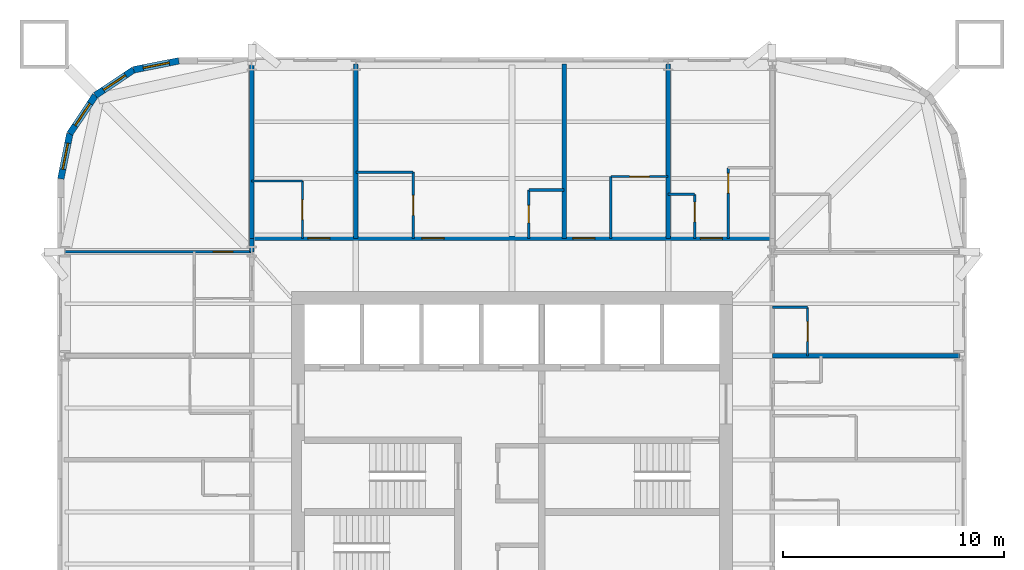
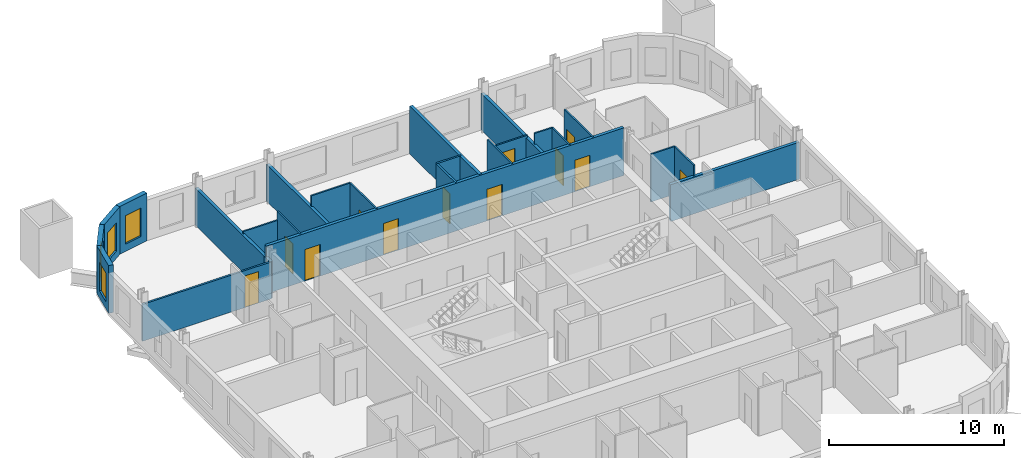
# One storey, part 7 of 9: 25 walls, 12 doors, 4 windows, 16 openings.
"""IFC4 building model written with IfcOpenShell, lengths in metres."""

import ifcopenshell
import ifcopenshell.guid

model = None  # the IFC model being written
_history = None  # IfcOwnerHistory: only IFC2X3 demands one
_inside = {}  # id of a spatial element -> (the spatial element, [elements in it])
_under = {}  # id of a project, library or spatial element -> (it, [spatial elements below it])
_declared = {}  # id of a project -> (the project, [libraries it declares])
_typed = {}  # id of a type object -> (the type object, [elements of that type])
_made_of = {}  # id of a material, layer set ... -> (it, [elements and type objects made of it])


def new_model(schema):
    """Start an empty IFC model of exactly this schema.

    Asked for "IFC4X3", IfcOpenShell would pick the latest addendum, in which some entities
    have other attributes; the version numbers below select the first issue.
    IFC2X3 requires an IfcOwnerHistory on every rooted entity: one is made here for all.
    """
    global model, _history
    if schema == "IFC4X3":
        model = ifcopenshell.file(schema_version=(4, 3, 0, 0))
    else:
        model = ifcopenshell.file(schema=schema)
    _inside.clear()
    _under.clear()
    _declared.clear()
    _typed.clear()
    _made_of.clear()
    _history = None
    if model.schema == "IFC2X3":
        org = make("IfcOrganization", Name="unknown")
        user = make(
            "IfcPersonAndOrganization",
            ThePerson=make("IfcPerson", FamilyName="unknown"),
            TheOrganization=org,
        )
        app = make(
            "IfcApplication",
            ApplicationDeveloper=org,
            Version="unknown",
            ApplicationFullName="unknown",
            ApplicationIdentifier="unknown",
        )
        _history = make(
            "IfcOwnerHistory",
            OwningUser=user,
            OwningApplication=app,
            ChangeAction="ADDED",
            CreationDate=0,
        )
    return model


def make(cls, **values):
    """One entity of the class cls with the attributes given. An attribute that is None is left unset."""
    return model.create_entity(
        cls, **{name: value for name, value in values.items() if value is not None}
    )


def rooted(cls, **values):
    """An entity with a GlobalId (a new one), such as an element, a storey or a relation."""
    return make(cls, GlobalId=ifcopenshell.guid.new(), OwnerHistory=_history, **values)


def si_unit(unit_type, name, prefix=None):
    """IfcSIUnit, for example si_unit("LENGTHUNIT", "METRE", prefix="MILLI")."""
    return make("IfcSIUnit", UnitType=unit_type, Prefix=prefix, Name=name)


def assignment(units):
    """IfcUnitAssignment: the units of a project."""
    return None if units is None else make("IfcUnitAssignment", Units=units)


def point(xyz):
    """IfcCartesianPoint."""
    return None if xyz is None else make("IfcCartesianPoint", Coordinates=xyz)


def direction(xyz):
    """IfcDirection."""
    return None if xyz is None else make("IfcDirection", DirectionRatios=xyz)


def frame(location, z_axis=None, x_axis=None):
    """IfcAxis2Placement3D, a coordinate frame: its origin and axes. An axis left out is left unset."""
    return make(
        "IfcAxis2Placement3D",
        Location=point(location),
        Axis=direction(z_axis),
        RefDirection=direction(x_axis),
    )


def frame_2d(location, x_axis=None):
    """IfcAxis2Placement2D, a coordinate frame in the plane: its origin and x axis."""
    return make(
        "IfcAxis2Placement2D", Location=point(location), RefDirection=direction(x_axis)
    )


def origin():
    """The frame at (0, 0, 0) with its axes left unset."""
    return frame((0.0, 0.0, 0.0))


def place(relative_to, where):
    """IfcLocalPlacement: puts the frame where relative to a parent placement (None: the world)."""
    return make(
        "IfcLocalPlacement", PlacementRelTo=relative_to, RelativePlacement=where
    )


def context(
    kind, dimensions, precision=None, world=None, true_north=None, identifier=None
):
    """IfcGeometricRepresentationContext, for example the 3D "Model" context."""
    return make(
        "IfcGeometricRepresentationContext",
        ContextIdentifier=identifier,
        ContextType=kind,
        CoordinateSpaceDimension=dimensions,
        Precision=precision,
        WorldCoordinateSystem=world,
        TrueNorth=true_north,
    )


def subcontext(parent, identifier, kind, view, scale=None):
    """IfcGeometricRepresentationSubContext, for example "Body" below "Model"."""
    return make(
        "IfcGeometricRepresentationSubContext",
        ContextIdentifier=identifier,
        ContextType=kind,
        ParentContext=parent,
        TargetScale=scale,
        TargetView=view,
    )


def project(units=None, contexts=None):
    """IfcProject with its units and contexts."""
    return rooted(
        "IfcProject",
        Name="project",
        RepresentationContexts=contexts,
        UnitsInContext=assignment(units),
    )


def spatial(cls, under=None, at=None, **own):
    """A site, building, storey or space (cls), placed at a placement, below another one or the project."""
    s = rooted(cls, ObjectPlacement=at, **own)
    if under is not None:
        _under.setdefault(under.id(), (under, []))[1].append(s)
    return s


def profile(cls, at=None, kind="AREA", **sizes):
    """A parametric profile (cls). Its sizes go by their IFC names, for example OverallWidth=200.0."""
    return make(cls, ProfileType=kind, Position=at, **sizes)


def rectangle(**sizes):
    """IfcRectangleProfileDef."""
    return profile("IfcRectangleProfileDef", **sizes)


def extrude(swept, where, along, depth):
    """IfcExtrudedAreaSolid: the profile swept, set in the frame where, extruded along a direction by depth."""
    return make(
        "IfcExtrudedAreaSolid",
        SweptArea=swept,
        Position=where,
        ExtrudedDirection=direction(along),
        Depth=depth,
    )


def shape(context_of_items, identifier, shape_type, items):
    """IfcShapeRepresentation: the items that make up one representation, for example the "Body"."""
    return make(
        "IfcShapeRepresentation",
        ContextOfItems=context_of_items,
        RepresentationIdentifier=identifier,
        RepresentationType=shape_type,
        Items=items,
    )


def material(Name=None, Category=None):
    """IfcMaterial."""
    return make("IfcMaterial", Name=Name, Category=Category)


def layer(
    of_material, thickness, ventilated=None, Name=None, Category=None, Priority=None
):
    """IfcMaterialLayer: one layer of a wall or slab, of a material (None: an air gap)."""
    return make(
        "IfcMaterialLayer",
        Material=of_material,
        LayerThickness=thickness,
        IsVentilated=ventilated,
        Name=Name,
        Category=Category,
        Priority=Priority,
    )


def layer_set(layers, Name=None):
    """IfcMaterialLayerSet."""
    return make("IfcMaterialLayerSet", MaterialLayers=layers, LayerSetName=Name)


def made_of(thing, what):
    """Note that an element or type object is made of a material, layer set ...; save() writes the relation."""
    if what is not None:
        _made_of.setdefault(what.id(), (what, []))[1].append(thing)
    return thing


def type_object(cls, material=None, **own):
    """A type object (cls), such as IfcWallType, which elements share."""
    return made_of(rooted(cls, **own), material)


def element(
    cls,
    number,
    at=None,
    inside=None,
    cuts=None,
    type_object=None,
    material=None,
    context=None,
    identifier="Body",
    shape_type=None,
    held_by="IfcProductDefinitionShape",
    body=None,
    shapes=None,
    **own,
):
    """One element of the class cls, such as IfcWall. Its Tag is "e" and its number.

    at: its placement. inside: the storey or other place that contains it. cuts: it is an
    opening in that element (IfcRelVoidsElement). A single representation is given by context,
    identifier, shape_type and body (its items); several are given by shapes. held_by: the class
    of the entity that holds the representations. save() writes the other relations.
    """
    e = rooted(cls, Tag="e%d" % number, ObjectPlacement=at, **own)
    if body is not None:
        shapes = [shape(context, identifier, shape_type, body)]
    if shapes is not None:
        e.Representation = make(held_by, Representations=shapes)
    if inside is not None:
        _inside.setdefault(inside.id(), (inside, []))[1].append(e)
    if cuts is not None:
        rooted(
            "IfcRelVoidsElement", RelatingBuildingElement=cuts, RelatedOpeningElement=e
        )
    if type_object is not None:
        _typed.setdefault(type_object.id(), (type_object, []))[1].append(e)
    return made_of(e, material)


def fill(opening, filler):
    """IfcRelFillsElement: the door or window that sits in an opening."""
    return rooted(
        "IfcRelFillsElement",
        RelatingOpeningElement=opening,
        RelatedBuildingElement=filler,
    )


def aggregate(whole, parts):
    """IfcRelAggregates: a whole, such as a stair, and the parts it consists of."""
    return rooted("IfcRelAggregates", RelatingObject=whole, RelatedObjects=parts)


def save(model, path):
    """Write the relations noted so far, then the file.

    IfcRelAggregates (storeys below a building ...), IfcRelContainedInSpatialStructure (elements
    in a storey), IfcRelDefinesByType, IfcRelAssociatesMaterial and IfcRelDeclares: one each for
    every whole, place, type object, material and project.
    """
    for whole, parts in _under.values():
        aggregate(whole, parts)
    for where, things in _inside.values():
        rooted(
            "IfcRelContainedInSpatialStructure",
            RelatedElements=things,
            RelatingStructure=where,
        )
    for kind, things in _typed.values():
        rooted("IfcRelDefinesByType", RelatedObjects=things, RelatingType=kind)
    for what, things in _made_of.values():
        rooted("IfcRelAssociatesMaterial", RelatedObjects=things, RelatingMaterial=what)
    for by, libraries in _declared.values():
        rooted("IfcRelDeclares", RelatingContext=by, RelatedDefinitions=libraries)
    model.write(path)


model = new_model("IFC4")

# Units and contexts
model_context = context("Model", 3, precision=1e-05, world=origin(), true_north=direction((0.0, 1.0)))
body_context = subcontext(model_context, "Body", "Model", "MODEL_VIEW")
ifc_project = project(units=[si_unit("LENGTHUNIT", "METRE"), si_unit("AREAUNIT", "SQUARE_METRE"), si_unit("VOLUMEUNIT", "CUBIC_METRE"), si_unit("PLANEANGLEUNIT", "RADIAN"), si_unit("MASSUNIT", "GRAM", prefix="KILO")], contexts=[model_context])

# Site, building, storey
site_placement = place(None, origin())
site = spatial("IfcSite", under=ifc_project, at=site_placement, CompositionType="ELEMENT")
building_placement = place(site_placement, origin())
building = spatial("IfcBuilding", under=site, at=building_placement, Name="Turquesa Mirador Hotel Tower", CompositionType="ELEMENT")
storey_placement = place(building_placement, frame((0.0, 0.0, 107.39990234375)))
storey = spatial("IfcBuildingStorey", under=building, at=storey_placement, Name="L28", CompositionType="ELEMENT", Elevation=107.39990234375)

# Walls
ifc_material_1 = material(Name="Gypsum board on steel studs", Category="steel")
ifc_layer_1 = layer(ifc_material_1, 0.10009765625)
ifc_layer_set_1 = layer_set([ifc_layer_1], Name="BATHROOM WALL 100")
wall_type_1 = type_object("IfcWallType", Name="BATHROOM WALL 100", PredefinedType="PARTITIONING", material=ifc_layer_set_1)
wall_1_placement = place(storey_placement, frame((62.080078125, 59.39990234375, 0.0), z_axis=(0.0, 0.0, 1.0), x_axis=(1.0, 0.0, 0.0)))
element("IfcWall", 1, at=wall_1_placement, inside=storey, type_object=wall_type_1, Name="Partition L28 025", PredefinedType="PARTITIONING", context=body_context, shape_type="SweptSolid", body=[
    extrude(rectangle(XDim=1.199951171875, YDim=0.10009765625, at=frame_2d((0.60009765625, 0.0))), origin(), (0.0, 0.0, 1.0), 3.330078125),
])
wall_2_placement = place(storey_placement, frame((43.199951171875, 60.0, 0.0), z_axis=(0.0, 0.0, 1.0), x_axis=(1.0, 0.0, 0.0)))
element("IfcWall", 2, at=wall_2_placement, inside=storey, type_object=wall_type_1, Name="Partition L28 028", PredefinedType="PARTITIONING", context=body_context, shape_type="SweptSolid", body=[
    extrude(rectangle(XDim=2.300048828125, YDim=0.10009765625, at=frame_2d((1.14990234375, 0.0))), origin(), (0.0, 0.0, 1.0), 2.730712890625),
])

# Wall, opening, door
wall_3_placement = place(storey_placement, frame((59.47998046875, 60.199951171875, 0.0), z_axis=(0.0, 0.0, 1.0), x_axis=(1.0, 0.0, 0.0)))
wall_3 = element("IfcWall", 3, at=wall_3_placement, inside=storey, type_object=wall_type_1, Name="Partition L28 029", PredefinedType="PARTITIONING", context=body_context, shape_type="SweptSolid", body=[
    extrude(rectangle(XDim=2.60009765625, YDim=0.10009765625, at=frame_2d((1.300048828125, 0.0))), origin(), (0.0, 0.0, 1.0), 2.730712890625),
])
opening_1_placement = place(wall_3_placement, frame((0.85009765625, 0.0, 0.0)))
opening_1 = element("IfcOpeningElement", 4, at=opening_1_placement, cuts=wall_3, Name="Opening D02", PredefinedType="OPENING", context=body_context, shape_type="SweptSolid", body=[
    extrude(rectangle(XDim=0.89990234375, YDim=2.10009765625, at=frame_2d((0.449951171875, 1.050048828125))), frame((0.0, 0.06005859375, 0.0), z_axis=(0.0, -1.0, 0.0), x_axis=(1.0, 0.0, 0.0)), (0.0, 0.0, 1.0), 0.1201171875),
])
ifc_material_2 = material(Name="Timber veneered door", Category="wood")
door_type_1 = type_object("IfcDoorType", Name="DOOR 900X2100 EN-SUITE", OperationType="SINGLE_SWING_RIGHT", PredefinedType="DOOR", material=ifc_material_2)
door_1_placement = place(opening_1_placement, origin())
door_1 = element("IfcDoor", 5, at=door_1_placement, inside=storey, type_object=door_type_1, Name="Door 2803B", OperationType="SINGLE_SWING_RIGHT", OverallHeight=2.10009765625, OverallWidth=0.89990234375, PredefinedType="DOOR", context=body_context, shape_type="SweptSolid", body=[
    extrude(rectangle(XDim=0.89990234375, YDim=2.10009765625, at=frame_2d((0.449951171875, 1.050048828125))), frame((0.0, 0.02490234375, 0.0), z_axis=(0.0, -1.0, 0.0), x_axis=(1.0, 0.0, 0.0)), (0.0, 0.0, 1.0), 0.050048828125),
])
fill(opening_1, door_1)

# Walls
wall_4_placement = place(storey_placement, frame((47.919921875, 60.39990234375, 0.0), z_axis=(0.0, 0.0, 1.0), x_axis=(1.0, 0.0, 0.0)))
element("IfcWall", 6, at=wall_4_placement, inside=storey, type_object=wall_type_1, Name="Partition L28 030", PredefinedType="PARTITIONING", context=body_context, shape_type="SweptSolid", body=[
    extrude(rectangle(XDim=2.60009765625, YDim=0.10009765625, at=frame_2d((1.300048828125, 0.0))), origin(), (0.0, 0.0, 1.0), 3.330078125),
])
wall_5_placement = place(storey_placement, frame((66.800048828125, 54.280029296875, 0.0), z_axis=(0.0, 0.0, 1.0), x_axis=(1.0, 0.0, 0.0)))
element("IfcWall", 7, at=wall_5_placement, inside=storey, type_object=wall_type_1, Name="Partition L28 040", PredefinedType="PARTITIONING", context=body_context, shape_type="SweptSolid", body=[
    extrude(rectangle(XDim=1.599853515625, YDim=0.10009765625, at=frame_2d((0.7998046875, 0.0))), origin(), (0.0, 0.0, 1.0), 3.330078125),
])

# Wall, opening, door
wall_6_placement = place(storey_placement, frame((50.52001953125, 57.39990234375, 0.0), z_axis=(0.0, 0.0, 1.0), x_axis=(0.0, 1.0, 0.0)))
wall_6 = element("IfcWall", 8, at=wall_6_placement, inside=storey, type_object=wall_type_1, Name="Partition L28 054", PredefinedType="PARTITIONING", context=body_context, shape_type="SweptSolid", body=[
    extrude(rectangle(XDim=3.0, YDim=0.10009765625, at=frame_2d((1.5, 0.0))), origin(), (0.0, 0.0, 1.0), 3.330078125),
])
opening_2_placement = place(wall_6_placement, frame((1.050048828125, 0.0, 0.0)))
opening_2 = element("IfcOpeningElement", 9, at=opening_2_placement, cuts=wall_6, Name="Opening D02", PredefinedType="OPENING", context=body_context, shape_type="SweptSolid", body=[
    extrude(rectangle(XDim=0.89990234375, YDim=2.10009765625, at=frame_2d((0.449951171875, 1.050048828125))), frame((0.0, 0.06005859375, 0.0), z_axis=(0.0, -1.0, 0.0), x_axis=(1.0, 0.0, 0.0)), (0.0, 0.0, 1.0), 0.1201171875),
])
door_2_placement = place(opening_2_placement, origin())
door_2 = element("IfcDoor", 10, at=door_2_placement, inside=storey, type_object=door_type_1, Name="Door 2802B", OperationType="SINGLE_SWING_RIGHT", OverallHeight=2.10009765625, OverallWidth=0.89990234375, PredefinedType="DOOR", context=body_context, shape_type="SweptSolid", body=[
    extrude(rectangle(XDim=0.89990234375, YDim=2.10009765625, at=frame_2d((0.449951171875, 1.050048828125))), frame((0.0, 0.02490234375, 0.0), z_axis=(0.0, -1.0, 0.0), x_axis=(1.0, 0.0, 0.0)), (0.0, 0.0, 1.0), 0.050048828125),
])
fill(opening_2, door_2)

wall_7_placement = place(storey_placement, frame((45.5, 57.39990234375, 0.0), z_axis=(0.0, 0.0, 1.0), x_axis=(0.0, 1.0, 0.0)))
wall_7 = element("IfcWall", 11, at=wall_7_placement, inside=storey, type_object=wall_type_1, Name="Partition L28 057", PredefinedType="PARTITIONING", context=body_context, shape_type="SweptSolid", body=[
    extrude(rectangle(XDim=2.60009765625, YDim=0.10009765625, at=frame_2d((1.300048828125, 0.0))), origin(), (0.0, 0.0, 1.0), 3.330078125),
])
opening_3_placement = place(wall_7_placement, frame((0.85009765625, 0.0, 0.0)))
opening_3 = element("IfcOpeningElement", 12, at=opening_3_placement, cuts=wall_7, Name="Opening D02", PredefinedType="OPENING", context=body_context, shape_type="SweptSolid", body=[
    extrude(rectangle(XDim=0.89990234375, YDim=2.10009765625, at=frame_2d((0.449951171875, 1.050048828125))), frame((0.0, 0.06005859375, 0.0), z_axis=(0.0, -1.0, 0.0), x_axis=(1.0, 0.0, 0.0)), (0.0, 0.0, 1.0), 0.1201171875),
])
door_3_placement = place(opening_3_placement, origin())
door_3 = element("IfcDoor", 13, at=door_3_placement, inside=storey, type_object=door_type_1, Name="Door 2801B", OperationType="SINGLE_SWING_RIGHT", OverallHeight=2.10009765625, OverallWidth=0.89990234375, PredefinedType="DOOR", context=body_context, shape_type="SweptSolid", body=[
    extrude(rectangle(XDim=0.89990234375, YDim=2.10009765625, at=frame_2d((0.449951171875, 1.050048828125))), frame((0.0, 0.02490234375, 0.0), z_axis=(0.0, -1.0, 0.0), x_axis=(1.0, 0.0, 0.0)), (0.0, 0.0, 1.0), 0.050048828125),
])
fill(opening_3, door_3)

wall_8_placement = place(storey_placement, frame((68.39990234375, 52.080078125, 0.0), z_axis=(0.0, 0.0, 1.0), x_axis=(0.0, 1.0, 0.0)))
wall_8 = element("IfcWall", 14, at=wall_8_placement, inside=storey, type_object=wall_type_1, Name="Partition L28 064", PredefinedType="PARTITIONING", context=body_context, shape_type="SweptSolid", body=[
    extrude(rectangle(XDim=2.199951171875, YDim=0.10009765625, at=frame_2d((1.10009765625, 0.0))), origin(), (0.0, 0.0, 1.0), 3.330078125),
])
opening_4_placement = place(wall_8_placement, frame((0.64990234375, 0.0, 0.0)))
opening_4 = element("IfcOpeningElement", 15, at=opening_4_placement, cuts=wall_8, Name="Opening D06", PredefinedType="OPENING", context=body_context, shape_type="SweptSolid", body=[
    extrude(rectangle(XDim=0.89990234375, YDim=2.10009765625, at=frame_2d((0.449951171875, 1.050048828125))), frame((0.0, 0.06005859375, 0.0), z_axis=(0.0, -1.0, 0.0), x_axis=(1.0, 0.0, 0.0)), (0.0, 0.0, 1.0), 0.1201171875),
])
ifc_material_3 = material(Name="Laminate door", Category="wood")
door_type_2 = type_object("IfcDoorType", Name="DOOR 900X2100 WC", OperationType="SINGLE_SWING_LEFT", PredefinedType="DOOR", material=ifc_material_3)
door_4_placement = place(opening_4_placement, origin())
door_4 = element("IfcDoor", 16, at=door_4_placement, inside=storey, type_object=door_type_2, Name="Door 2813W", OperationType="SINGLE_SWING_LEFT", OverallHeight=2.10009765625, OverallWidth=0.89990234375, PredefinedType="DOOR", context=body_context, shape_type="SweptSolid", body=[
    extrude(rectangle(XDim=0.89990234375, YDim=2.10009765625, at=frame_2d((0.449951171875, 1.050048828125))), frame((0.0, 0.02490234375, 0.0), z_axis=(0.0, -1.0, 0.0), x_axis=(1.0, 0.0, 0.0)), (0.0, 0.0, 1.0), 0.050048828125),
])
fill(opening_4, door_4)

# Wall
wall_9_placement = place(storey_placement, frame((59.47998046875, 57.39990234375, 0.0), z_axis=(0.0, 0.0, 1.0), x_axis=(0.0, 1.0, 0.0)))
element("IfcWall", 17, at=wall_9_placement, inside=storey, type_object=wall_type_1, Name="Partition L28 073", PredefinedType="PARTITIONING", context=body_context, shape_type="SweptSolid", body=[
    extrude(rectangle(XDim=2.800048828125, YDim=0.10009765625, at=frame_2d((1.39990234375, 0.0))), origin(), (0.0, 0.0, 1.0), 3.330078125),
])

# Wall, opening, door
wall_10_placement = place(storey_placement, frame((63.280029296875, 57.39990234375, 0.0), z_axis=(0.0, 0.0, 1.0), x_axis=(0.0, 1.0, 0.0)))
wall_10 = element("IfcWall", 18, at=wall_10_placement, inside=storey, type_object=wall_type_1, Name="Partition L28 077", PredefinedType="PARTITIONING", context=body_context, shape_type="SweptSolid", body=[
    extrude(rectangle(XDim=2.0, YDim=0.10009765625, at=frame_2d((1.0, 0.0))), origin(), (0.0, 0.0, 1.0), 3.330078125),
])
opening_5_placement = place(wall_10_placement, frame((0.75, 0.0, 0.0)))
opening_5 = element("IfcOpeningElement", 19, at=opening_5_placement, cuts=wall_10, Name="Opening D06", PredefinedType="OPENING", context=body_context, shape_type="SweptSolid", body=[
    extrude(rectangle(XDim=0.89990234375, YDim=2.10009765625, at=frame_2d((0.449951171875, 1.050048828125))), frame((0.0, 0.06005859375, 0.0), z_axis=(0.0, -1.0, 0.0), x_axis=(1.0, 0.0, 0.0)), (0.0, 0.0, 1.0), 0.1201171875),
])
door_5_placement = place(opening_5_placement, origin())
door_5 = element("IfcDoor", 20, at=door_5_placement, inside=storey, type_object=door_type_2, Name="Door 2804W", OperationType="SINGLE_SWING_LEFT", OverallHeight=2.10009765625, OverallWidth=0.89990234375, PredefinedType="DOOR", context=body_context, shape_type="SweptSolid", body=[
    extrude(rectangle(XDim=0.89990234375, YDim=2.10009765625, at=frame_2d((0.449951171875, 1.050048828125))), frame((0.0, 0.02490234375, 0.0), z_axis=(0.0, -1.0, 0.0), x_axis=(1.0, 0.0, 0.0)), (0.0, 0.0, 1.0), 0.050048828125),
])
fill(opening_5, door_5)

wall_11_placement = place(storey_placement, frame((64.800048828125, 57.39990234375, 0.0), z_axis=(0.0, 0.0, 1.0), x_axis=(0.0, 1.0, 0.0)))
wall_11 = element("IfcWall", 21, at=wall_11_placement, inside=storey, type_object=wall_type_1, Name="Partition L28 079", PredefinedType="PARTITIONING", context=body_context, shape_type="SweptSolid", body=[
    extrude(rectangle(XDim=3.2001953125, YDim=0.10009765625, at=frame_2d((1.60009765625, 0.0))), origin(), (0.0, 0.0, 1.0), 3.330078125),
])
opening_6_placement = place(wall_11_placement, frame((2.050048828125, 0.0, 0.0)))
opening_6 = element("IfcOpeningElement", 22, at=opening_6_placement, cuts=wall_11, Name="Opening D02", PredefinedType="OPENING", context=body_context, shape_type="SweptSolid", body=[
    extrude(rectangle(XDim=0.89990234375, YDim=2.10009765625, at=frame_2d((0.449951171875, 1.050048828125))), frame((0.0, 0.06005859375, 0.0), z_axis=(0.0, -1.0, 0.0), x_axis=(1.0, 0.0, 0.0)), (0.0, 0.0, 1.0), 0.1201171875),
])
door_6_placement = place(opening_6_placement, origin())
door_6 = element("IfcDoor", 23, at=door_6_placement, inside=storey, type_object=door_type_1, Name="Door 2804B", OperationType="SINGLE_SWING_RIGHT", OverallHeight=2.10009765625, OverallWidth=0.89990234375, PredefinedType="DOOR", context=body_context, shape_type="SweptSolid", body=[
    extrude(rectangle(XDim=0.89990234375, YDim=2.10009765625, at=frame_2d((0.449951171875, 1.050048828125))), frame((0.0, 0.02490234375, 0.0), z_axis=(0.0, -1.0, 0.0), x_axis=(1.0, 0.0, 0.0)), (0.0, 0.0, 1.0), 0.050048828125),
])
fill(opening_6, door_6)

# Wall, openings, doors
ifc_material_4 = material(Name="Fire-rated gypsum board on steel studs", Category="steel")
ifc_layer_2 = layer(ifc_material_4, 0.199951171875)
ifc_layer_set_2 = layer_set([ifc_layer_2], Name="CORRIDOR WALL 200")
wall_type_2 = type_object("IfcWallType", Name="CORRIDOR WALL 200", PredefinedType="PARTITIONING", material=ifc_layer_set_2)
wall_12_placement = place(storey_placement, frame((43.199951171875, 57.39990234375, 0.0), z_axis=(0.0, 0.0, 1.0), x_axis=(1.0, 0.0, 0.0)))
wall_12 = element("IfcWall", 24, at=wall_12_placement, inside=storey, type_object=wall_type_2, Name="Partition L28 024", PredefinedType="PARTITIONING", context=body_context, shape_type="SweptSolid", body=[
    extrude(rectangle(XDim=23.60009765625, YDim=0.199951171875, at=frame_2d((11.800048828125, 0.0))), origin(), (0.0, 0.0, 1.0), 3.330078125),
])
opening_7_placement = place(wall_12_placement, frame((2.550048828125, 0.0, 0.0)))
opening_7 = element("IfcOpeningElement", 25, at=opening_7_placement, cuts=wall_12, Name="Opening D01", PredefinedType="OPENING", context=body_context, shape_type="SweptSolid", body=[
    extrude(rectangle(XDim=1.0, YDim=2.199951171875, at=frame_2d((0.5, 1.10009765625))), frame((0.0, 0.10986328125, 0.0), z_axis=(0.0, -1.0, 0.0), x_axis=(1.0, 0.0, 0.0)), (0.0, 0.0, 1.0), 0.219970703125),
])
opening_8_placement = place(wall_12_placement, frame((7.719970703125, 0.0, 0.0)))
opening_8 = element("IfcOpeningElement", 26, at=opening_8_placement, cuts=wall_12, Name="Opening D01", PredefinedType="OPENING", context=body_context, shape_type="SweptSolid", body=[
    extrude(rectangle(XDim=1.0, YDim=2.199951171875, at=frame_2d((0.5, 1.10009765625))), frame((0.0, 0.10986328125, 0.0), z_axis=(0.0, -1.0, 0.0), x_axis=(1.0, 0.0, 0.0)), (0.0, 0.0, 1.0), 0.219970703125),
])
opening_9_placement = place(wall_12_placement, frame((14.56005859375, 0.0, 0.0)))
opening_9 = element("IfcOpeningElement", 27, at=opening_9_placement, cuts=wall_12, Name="Opening D01", PredefinedType="OPENING", context=body_context, shape_type="SweptSolid", body=[
    extrude(rectangle(XDim=1.0, YDim=2.199951171875, at=frame_2d((0.5, 1.10009765625))), frame((0.0, 0.10986328125, 0.0), z_axis=(0.0, -1.0, 0.0), x_axis=(1.0, 0.0, 0.0)), (0.0, 0.0, 1.0), 0.219970703125),
])
opening_10_placement = place(wall_12_placement, frame((20.340087890625, 0.0, 0.0)))
opening_10 = element("IfcOpeningElement", 28, at=opening_10_placement, cuts=wall_12, Name="Opening D01", PredefinedType="OPENING", context=body_context, shape_type="SweptSolid", body=[
    extrude(rectangle(XDim=1.0, YDim=2.199951171875, at=frame_2d((0.5, 1.10009765625))), frame((0.0, 0.10986328125, 0.0), z_axis=(0.0, -1.0, 0.0), x_axis=(1.0, 0.0, 0.0)), (0.0, 0.0, 1.0), 0.219970703125),
])
ifc_material_5 = material(Name="Timber veneered fire door", Category="wood")
door_type_3 = type_object("IfcDoorType", Name="DOOR 1000X2200 GUEST ENTRY", OperationType="SINGLE_SWING_LEFT", PredefinedType="DOOR", material=ifc_material_5)
door_7_placement = place(opening_7_placement, origin())
door_7 = element("IfcDoor", 29, at=door_7_placement, inside=storey, type_object=door_type_3, Name="Door 2801", OperationType="SINGLE_SWING_LEFT", OverallHeight=2.199951171875, OverallWidth=1.0, PredefinedType="DOOR", context=body_context, shape_type="SweptSolid", body=[
    extrude(rectangle(XDim=1.0, YDim=2.199951171875, at=frame_2d((0.5, 1.10009765625))), frame((0.0, 0.02490234375, 0.0), z_axis=(0.0, -1.0, 0.0), x_axis=(1.0, 0.0, 0.0)), (0.0, 0.0, 1.0), 0.050048828125),
])
fill(opening_7, door_7)
door_8_placement = place(opening_8_placement, origin())
door_8 = element("IfcDoor", 30, at=door_8_placement, inside=storey, type_object=door_type_3, Name="Door 2802", OperationType="SINGLE_SWING_LEFT", OverallHeight=2.199951171875, OverallWidth=1.0, PredefinedType="DOOR", context=body_context, shape_type="SweptSolid", body=[
    extrude(rectangle(XDim=1.0, YDim=2.199951171875, at=frame_2d((0.5, 1.10009765625))), frame((0.0, 0.02490234375, 0.0), z_axis=(0.0, -1.0, 0.0), x_axis=(1.0, 0.0, 0.0)), (0.0, 0.0, 1.0), 0.050048828125),
])
fill(opening_8, door_8)
door_9_placement = place(opening_9_placement, origin())
door_9 = element("IfcDoor", 31, at=door_9_placement, inside=storey, type_object=door_type_3, Name="Door 2803", OperationType="SINGLE_SWING_LEFT", OverallHeight=2.199951171875, OverallWidth=1.0, PredefinedType="DOOR", context=body_context, shape_type="SweptSolid", body=[
    extrude(rectangle(XDim=1.0, YDim=2.199951171875, at=frame_2d((0.5, 1.10009765625))), frame((0.0, 0.02490234375, 0.0), z_axis=(0.0, -1.0, 0.0), x_axis=(1.0, 0.0, 0.0)), (0.0, 0.0, 1.0), 0.050048828125),
])
fill(opening_9, door_9)
door_10_placement = place(opening_10_placement, origin())
door_10 = element("IfcDoor", 32, at=door_10_placement, inside=storey, type_object=door_type_3, Name="Door 2804", OperationType="SINGLE_SWING_LEFT", OverallHeight=2.199951171875, OverallWidth=1.0, PredefinedType="DOOR", context=body_context, shape_type="SweptSolid", body=[
    extrude(rectangle(XDim=1.0, YDim=2.199951171875, at=frame_2d((0.5, 1.10009765625))), frame((0.0, 0.02490234375, 0.0), z_axis=(0.0, -1.0, 0.0), x_axis=(1.0, 0.0, 0.0)), (0.0, 0.0, 1.0), 0.050048828125),
])
fill(opening_10, door_10)

# Wall
wall_13_placement = place(storey_placement, frame((43.199951171875, 56.780029296875, 0.0), z_axis=(0.0, 0.0, 1.0), x_axis=(0.0, 1.0, 0.0)))
element("IfcWall", 33, at=wall_13_placement, inside=storey, type_object=wall_type_2, Name="Partition L28 080", PredefinedType="PARTITIONING", context=body_context, shape_type="SweptSolid", body=[
    extrude(rectangle(XDim=0.619873046875, YDim=0.199951171875, at=frame_2d((0.31005859375, 0.0))), origin(), (0.0, 0.0, 1.0), 2.5732421875),
])

# Wall, opening, window
ifc_material_6 = material(Name="Limestone cladding on concrete block", Category="masonry")
ifc_layer_3 = layer(ifc_material_6, 0.300048828125)
ifc_layer_set_3 = layer_set([ifc_layer_3], Name="FACADE WALL 300 STONE SCREEN")
wall_type_3 = type_object("IfcWallType", Name="FACADE WALL 300 STONE SCREEN", PredefinedType="SOLIDWALL", material=ifc_layer_set_3)
wall_14_placement = place(storey_placement, frame((39.89990234375, 65.449951171875, 0.0), z_axis=(0.0, 0.0, 1.0), x_axis=(-0.980787050784, -0.195081421501, 0.0)))
wall_14 = element("IfcWall", 34, at=wall_14_placement, inside=storey, type_object=wall_type_3, Name="Facade wall L28 10", PredefinedType="SOLIDWALL", context=body_context, shape_type="SweptSolid", body=[
    extrude(rectangle(XDim=2.08740234375, YDim=0.300048828125, at=frame_2d((1.043701171875, 0.0))), origin(), (0.0, 0.0, 1.0), 3.330078125),
])
opening_11_placement = place(wall_14_placement, frame((0.443603515625, 0.0, 0.5)))
opening_11 = element("IfcOpeningElement", 35, at=opening_11_placement, cuts=wall_14, Name="Opening WN4", PredefinedType="OPENING", context=body_context, shape_type="SweptSolid", body=[
    extrude(rectangle(XDim=1.199951171875, YDim=2.0, at=frame_2d((0.60009765625, 1.0))), frame((0.0, 0.159912109375, 0.0), z_axis=(0.0, -1.0, 0.0), x_axis=(1.0, 0.0, 0.0)), (0.0, 0.0, 1.0), 0.320068359375),
])
ifc_material_7 = material(Name="Ceramic-fritted laminated glass", Category="glass")
window_type = type_object("IfcWindowType", Name="FRITTED CORNER WINDOW 1200X2000", PartitioningType="DOUBLE_PANEL_HORIZONTAL", PredefinedType="WINDOW", material=ifc_material_7)
window_1_placement = place(opening_11_placement, origin())
window_1 = element("IfcWindow", 36, at=window_1_placement, inside=storey, type_object=window_type, Name="Window L28", OverallHeight=2.0, OverallWidth=1.199951171875, PartitioningType="SINGLE_PANEL", PredefinedType="WINDOW", context=body_context, shape_type="SweptSolid", body=[
    extrude(rectangle(XDim=1.199951171875, YDim=2.0, at=frame_2d((0.60009765625, 1.0))), frame((0.0, 0.030029296875, 0.0), z_axis=(0.0, -1.0, 0.0), x_axis=(1.0, 0.0, 0.0)), (0.0, 0.0, 1.0), 0.06005859375),
])
fill(opening_11, window_1)

wall_15_placement = place(storey_placement, frame((37.8525390625, 65.042724609375, 0.0), z_axis=(0.0, 0.0, 1.0), x_axis=(-0.831474039234, -0.555563607591, 0.0)))
wall_15 = element("IfcWall", 37, at=wall_15_placement, inside=storey, type_object=wall_type_3, Name="Facade wall L28 11", PredefinedType="SOLIDWALL", context=body_context, shape_type="SweptSolid", body=[
    extrude(rectangle(XDim=2.08740234375, YDim=0.300048828125, at=frame_2d((1.043701171875, 0.0))), origin(), (0.0, 0.0, 1.0), 3.330078125),
])
opening_12_placement = place(wall_15_placement, frame((0.443603515625, 0.0, 0.5)))
opening_12 = element("IfcOpeningElement", 38, at=opening_12_placement, cuts=wall_15, Name="Opening WN4", PredefinedType="OPENING", context=body_context, shape_type="SweptSolid", body=[
    extrude(rectangle(XDim=1.199951171875, YDim=2.0, at=frame_2d((0.60009765625, 1.0))), frame((0.0, 0.159912109375, 0.0), z_axis=(0.0, -1.0, 0.0), x_axis=(1.0, 0.0, 0.0)), (0.0, 0.0, 1.0), 0.320068359375),
])
window_2_placement = place(opening_12_placement, origin())
window_2 = element("IfcWindow", 39, at=window_2_placement, inside=storey, type_object=window_type, Name="Window L28", OverallHeight=2.0, OverallWidth=1.199951171875, PartitioningType="SINGLE_PANEL", PredefinedType="WINDOW", context=body_context, shape_type="SweptSolid", body=[
    extrude(rectangle(XDim=1.199951171875, YDim=2.0, at=frame_2d((0.60009765625, 1.0))), frame((0.0, 0.030029296875, 0.0), z_axis=(0.0, -1.0, 0.0), x_axis=(1.0, 0.0, 0.0)), (0.0, 0.0, 1.0), 0.06005859375),
])
fill(opening_12, window_2)

wall_16_placement = place(storey_placement, frame((36.116943359375, 63.883056640625, 0.0), z_axis=(0.0, 0.0, 1.0), x_axis=(-0.555563607591, -0.831474039234, 0.0)))
wall_16 = element("IfcWall", 40, at=wall_16_placement, inside=storey, type_object=wall_type_3, Name="Facade wall L28 12", PredefinedType="SOLIDWALL", context=body_context, shape_type="SweptSolid", body=[
    extrude(rectangle(XDim=2.08740234375, YDim=0.300048828125, at=frame_2d((1.043701171875, 0.0))), origin(), (0.0, 0.0, 1.0), 3.330078125),
])
opening_13_placement = place(wall_16_placement, frame((0.443603515625, 0.0, 0.5)))
opening_13 = element("IfcOpeningElement", 41, at=opening_13_placement, cuts=wall_16, Name="Opening WN4", PredefinedType="OPENING", context=body_context, shape_type="SweptSolid", body=[
    extrude(rectangle(XDim=1.199951171875, YDim=2.0, at=frame_2d((0.60009765625, 1.0))), frame((0.0, 0.159912109375, 0.0), z_axis=(0.0, -1.0, 0.0), x_axis=(1.0, 0.0, 0.0)), (0.0, 0.0, 1.0), 0.320068359375),
])
window_3_placement = place(opening_13_placement, origin())
window_3 = element("IfcWindow", 42, at=window_3_placement, inside=storey, type_object=window_type, Name="Window L28", OverallHeight=2.0, OverallWidth=1.199951171875, PartitioningType="SINGLE_PANEL", PredefinedType="WINDOW", context=body_context, shape_type="SweptSolid", body=[
    extrude(rectangle(XDim=1.199951171875, YDim=2.0, at=frame_2d((0.60009765625, 1.0))), frame((0.0, 0.030029296875, 0.0), z_axis=(0.0, -1.0, 0.0), x_axis=(1.0, 0.0, 0.0)), (0.0, 0.0, 1.0), 0.06005859375),
])
fill(opening_13, window_3)

wall_17_placement = place(storey_placement, frame((34.957275390625, 62.1474609375, 0.0), z_axis=(0.0, 0.0, 1.0), x_axis=(-0.195081421501, -0.980787050784, 0.0)))
wall_17 = element("IfcWall", 43, at=wall_17_placement, inside=storey, type_object=wall_type_3, Name="Facade wall L28 13", PredefinedType="SOLIDWALL", context=body_context, shape_type="SweptSolid", body=[
    extrude(rectangle(XDim=2.08740234375, YDim=0.300048828125, at=frame_2d((1.043701171875, 0.0))), origin(), (0.0, 0.0, 1.0), 3.330078125),
])
opening_14_placement = place(wall_17_placement, frame((0.443603515625, 0.0, 0.5)))
opening_14 = element("IfcOpeningElement", 44, at=opening_14_placement, cuts=wall_17, Name="Opening WN4", PredefinedType="OPENING", context=body_context, shape_type="SweptSolid", body=[
    extrude(rectangle(XDim=1.199951171875, YDim=2.0, at=frame_2d((0.60009765625, 1.0))), frame((0.0, 0.159912109375, 0.0), z_axis=(0.0, -1.0, 0.0), x_axis=(1.0, 0.0, 0.0)), (0.0, 0.0, 1.0), 0.320068359375),
])
window_4_placement = place(opening_14_placement, origin())
window_4 = element("IfcWindow", 45, at=window_4_placement, inside=storey, type_object=window_type, Name="Window L28", OverallHeight=2.0, OverallWidth=1.199951171875, PartitioningType="SINGLE_PANEL", PredefinedType="WINDOW", context=body_context, shape_type="SweptSolid", body=[
    extrude(rectangle(XDim=1.199951171875, YDim=2.0, at=frame_2d((0.60009765625, 1.0))), frame((0.0, 0.030029296875, 0.0), z_axis=(0.0, -1.0, 0.0), x_axis=(1.0, 0.0, 0.0)), (0.0, 0.0, 1.0), 0.06005859375),
])
fill(opening_14, window_4)

# Walls
ifc_material_8 = material(Name="Fire-rated gypsum board on steel studs", Category="steel")
ifc_layer_4 = layer(ifc_material_8, 0.199951171875)
ifc_layer_set_4 = layer_set([ifc_layer_4], Name="PARTY WALL 200")
wall_type_4 = type_object("IfcWallType", Name="PARTY WALL 200", PredefinedType="PARTITIONING", material=ifc_layer_set_4)
wall_18_placement = place(storey_placement, frame((66.800048828125, 52.080078125, 0.0), z_axis=(0.0, 0.0, 1.0), x_axis=(1.0, 0.0, 0.0)))
element("IfcWall", 46, at=wall_18_placement, inside=storey, type_object=wall_type_4, Name="Partition L28 039", PredefinedType="PARTITIONING", context=body_context, shape_type="SweptSolid", body=[
    extrude(rectangle(XDim=8.5, YDim=0.199951171875, at=frame_2d((4.25, 0.0))), origin(), (0.0, 0.0, 1.0), 2.5732421875),
])
for number, where, z_axis, x_axis, name in (
    (47, (43.199951171875, 57.39990234375, 0.0), (0.0, 0.0, 1.0), (0.0, 1.0, 0.0), "Partition L28 044"),
    (48, (47.919921875, 57.39990234375, 0.0), (0.0, 0.0, 1.0), (0.0, 1.0, 0.0), "Partition L28 055"),
):
    element("IfcWall", number, at=place(storey_placement, frame(where, z_axis=z_axis, x_axis=x_axis)), inside=storey, type_object=wall_type_4, Name=name, PredefinedType="PARTITIONING", context=body_context, shape_type="SweptSolid", body=[
        extrude(rectangle(XDim=7.900146484375, YDim=0.199951171875, at=frame_2d((3.9501953125, 0.0))), origin(), (0.0, 0.0, 1.0), 2.5732421875),
    ])
wall_19_placement = place(storey_placement, frame((57.360107421875, 57.39990234375, 0.0), z_axis=(0.0, 0.0, 1.0), x_axis=(0.0, 1.0, 0.0)))
element("IfcWall", 49, at=wall_19_placement, inside=storey, type_object=wall_type_4, Name="Partition L28 072", PredefinedType="PARTITIONING", context=body_context, shape_type="SweptSolid", body=[
    extrude(rectangle(XDim=7.900146484375, YDim=0.199951171875, at=frame_2d((3.9501953125, 0.0))), origin(), (0.0, 0.0, 1.0), 3.330078125),
])
wall_20_placement = place(storey_placement, frame((62.080078125, 57.39990234375, 0.0), z_axis=(0.0, 0.0, 1.0), x_axis=(0.0, 1.0, 0.0)))
element("IfcWall", 50, at=wall_20_placement, inside=storey, type_object=wall_type_4, Name="Partition L28 076", PredefinedType="PARTITIONING", context=body_context, shape_type="SweptSolid", body=[
    extrude(rectangle(XDim=7.900146484375, YDim=0.199951171875, at=frame_2d((3.9501953125, 0.0))), origin(), (0.0, 0.0, 1.0), 2.5732421875),
])

# Wall, opening, door
ifc_material_9 = material(Name="Acoustic gypsum board on steel studs", Category="steel")
ifc_layer_5 = layer(ifc_material_9, 0.125)
ifc_layer_set_5 = layer_set([ifc_layer_5], Name="SUITE PARTITION 125")
wall_type_5 = type_object("IfcWallType", Name="SUITE PARTITION 125", PredefinedType="PARTITIONING", material=ifc_layer_set_5)
wall_21_placement = place(storey_placement, frame((34.699951171875, 56.800048828125, 0.0), z_axis=(0.0, 0.0, 1.0), x_axis=(1.0, 0.0, 0.0)))
wall_21 = element("IfcWall", 51, at=wall_21_placement, inside=storey, type_object=wall_type_5, Name="Partition L28 022", PredefinedType="PARTITIONING", context=body_context, shape_type="SweptSolid", body=[
    extrude(rectangle(XDim=8.5, YDim=0.125, at=frame_2d((4.25, 0.0))), origin(), (0.0, 0.0, 1.0), 2.5732421875),
])
opening_15_placement = place(wall_21_placement, frame((6.75, 0.0, 0.0)))
opening_15 = element("IfcOpeningElement", 52, at=opening_15_placement, cuts=wall_21, Name="Opening D17", PredefinedType="OPENING", context=body_context, shape_type="SweptSolid", body=[
    extrude(rectangle(XDim=0.89990234375, YDim=2.199951171875, at=frame_2d((0.449951171875, 1.10009765625))), frame((0.0, 0.072509765625, 0.0), z_axis=(0.0, -1.0, 0.0), x_axis=(1.0, 0.0, 0.0)), (0.0, 0.0, 1.0), 0.14501953125),
])
ifc_material_10 = material(Name="Timber veneered door", Category="wood")
door_type_4 = type_object("IfcDoorType", Name="DOOR 900X2200 SUITE INTERNAL", OperationType="SINGLE_SWING_LEFT", PredefinedType="DOOR", material=ifc_material_10)
door_11_placement = place(opening_15_placement, origin())
door_11 = element("IfcDoor", 53, at=door_11_placement, inside=storey, type_object=door_type_4, Name="Door 2814", OperationType="SINGLE_SWING_LEFT", OverallHeight=2.199951171875, OverallWidth=0.89990234375, PredefinedType="DOOR", context=body_context, shape_type="SweptSolid", body=[
    extrude(rectangle(XDim=0.89990234375, YDim=2.199951171875, at=frame_2d((0.449951171875, 1.10009765625))), frame((0.0, 0.02490234375, 0.0), z_axis=(0.0, -1.0, 0.0), x_axis=(1.0, 0.0, 0.0)), (0.0, 0.0, 1.0), 0.050048828125),
])
fill(opening_15, door_11)

# Wall
wall_22_placement = place(storey_placement, frame((55.760009765625, 59.60009765625, 0.0), z_axis=(0.0, 0.0, 1.0), x_axis=(1.0, 0.0, 0.0)))
element("IfcWall", 54, at=wall_22_placement, inside=storey, type_object=wall_type_5, Name="Partition L28 027", PredefinedType="PARTITIONING", context=body_context, shape_type="SweptSolid", body=[
    extrude(rectangle(XDim=1.60009765625, YDim=0.125, at=frame_2d((0.800048828125, 0.0))), origin(), (0.0, 0.0, 1.0), 3.330078125),
])

# Wall, opening, door
wall_23_placement = place(storey_placement, frame((55.760009765625, 57.39990234375, 0.0), z_axis=(0.0, 0.0, 1.0), x_axis=(0.0, 1.0, 0.0)))
wall_23 = element("IfcWall", 55, at=wall_23_placement, inside=storey, type_object=wall_type_5, Name="Partition L28 059", PredefinedType="PARTITIONING", context=body_context, shape_type="SweptSolid", body=[
    extrude(rectangle(XDim=2.2001953125, YDim=0.125, at=frame_2d((1.10009765625, 0.0))), origin(), (0.0, 0.0, 1.0), 3.330078125),
])
opening_16_placement = place(wall_23_placement, frame((0.699951171875, 0.0, 0.0)))
opening_16 = element("IfcOpeningElement", 56, at=opening_16_placement, cuts=wall_23, Name="Opening D20", PredefinedType="OPENING", context=body_context, shape_type="SweptSolid", body=[
    extrude(rectangle(XDim=0.800048828125, YDim=2.10009765625, at=frame_2d((0.39990234375, 1.050048828125))), frame((0.0, 0.072509765625, 0.0), z_axis=(0.0, -1.0, 0.0), x_axis=(1.0, 0.0, 0.0)), (0.0, 0.0, 1.0), 0.14501953125),
])
ifc_material_11 = material(Name="Timber veneered sliding door", Category="wood")
door_type_5 = type_object("IfcDoorType", Name="DOOR 800X2100 WARDROBE", OperationType="SLIDING_TO_LEFT", PredefinedType="DOOR", material=ifc_material_11)
door_12_placement = place(opening_16_placement, origin())
door_12 = element("IfcDoor", 57, at=door_12_placement, inside=storey, type_object=door_type_5, Name="Door 2802W", OperationType="SLIDING_TO_LEFT", OverallHeight=2.10009765625, OverallWidth=0.800048828125, PredefinedType="DOOR", context=body_context, shape_type="SweptSolid", body=[
    extrude(rectangle(XDim=0.800048828125, YDim=2.10009765625, at=frame_2d((0.39990234375, 1.050048828125))), frame((0.0, 0.02490234375, 0.0), z_axis=(0.0, -1.0, 0.0), x_axis=(1.0, 0.0, 0.0)), (0.0, 0.0, 1.0), 0.050048828125),
])
fill(opening_16, door_12)

save(model, "model.ifc")
